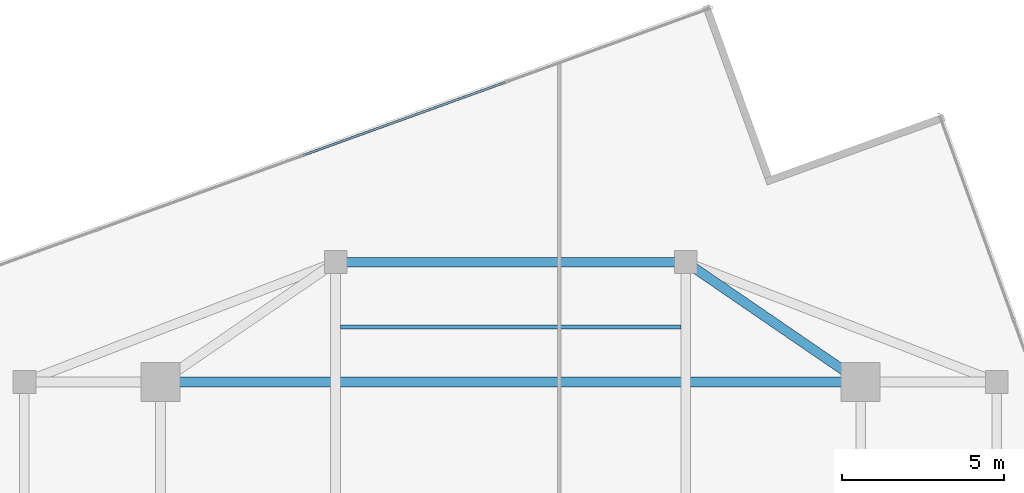
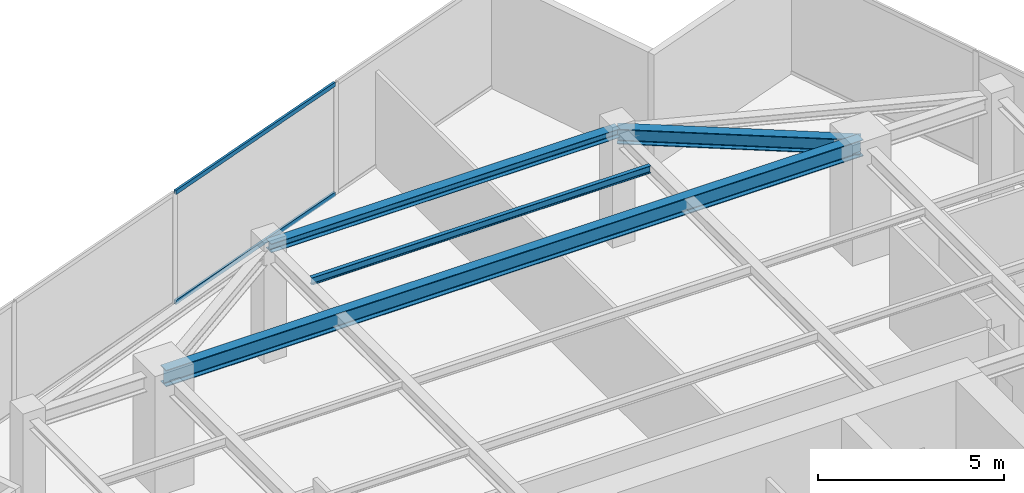
# One storey, part 14 of 21: 4 beams, 2 members, 1 element without a shape of its own.
"""IFC4 building model written with IfcOpenShell, lengths in metres."""

from ifc_helpers import new_model, si_unit, direction, frame, origin, origin_2d, place, context, subcontext, project, spatial, hollow_rectangle, i_section, extrude, source, transform, mapped, material, material_profile, profile_set, type_object, type_shapes, element, aggregate, save


model = new_model("IFC4")

# Units and contexts
model_context = context("Model", 3, precision=1e-05, world=origin(), true_north=direction((0.0, 1.0)))
body_context = subcontext(model_context, "Body", "Model", "MODEL_VIEW")
ifc_project = project(units=[si_unit("LENGTHUNIT", "METRE"), si_unit("AREAUNIT", "SQUARE_METRE"), si_unit("VOLUMEUNIT", "CUBIC_METRE"), si_unit("PLANEANGLEUNIT", "RADIAN"), si_unit("MASSUNIT", "GRAM", prefix="KILO")], contexts=[model_context])

# Site, building, storey
site_placement = place(None, origin())
site = spatial("IfcSite", under=ifc_project, at=site_placement, CompositionType="ELEMENT")
building_placement = place(site_placement, origin())
building = spatial("IfcBuilding", under=site, at=building_placement, Name="Krantzveldt Concourse Tower", CompositionType="ELEMENT")
storey_placement = place(building_placement, frame((0.0, 0.0, 335.60009765625)))
storey = spatial("IfcBuildingStorey", under=building, at=storey_placement, Name="L82", CompositionType="ELEMENT", Elevation=335.60009765625)

# Beams
ifc_material_1 = material(Name="Steel S355JR", Category="steel")
ifc_material_profile_1 = material_profile(ifc_material_1, i_section(OverallWidth=0.300048828125, OverallDepth=0.489990234375, WebThickness=0.011962890625, FlangeThickness=0.02294921875, FilletRadius=0.027099609375, at=origin_2d()), Name="Steel S355JR", Category="steel")
ifc_profile_set_1 = profile_set([ifc_material_profile_1], Name="Steel S355JR - HEA 500")
beam_type_1 = type_object("IfcBeamType", Name="BM-B-HEA500", PredefinedType="BEAM", material=ifc_profile_set_1)
shared_shape_1 = source(origin(), body_context, "Body", "SweptSolid", [
    extrude(i_section(OverallWidth=0.300048828125, OverallDepth=0.489990234375, WebThickness=0.011962890625, FlangeThickness=0.02294921875, FilletRadius=0.027099609375, at=origin_2d()), origin(), (0.0, 0.0, 1.0), 6.546142578125),
])
type_shapes(beam_type_1, [shared_shape_1])
beam_1_placement = place(storey_placement, frame((46.800048828125, 37.5, 3.4248046875), z_axis=(-0.824942999484, 0.565215930068, 0.0), x_axis=(-0.565215930068, -0.824942999484, 0.0)))
element("IfcBeam", 1, at=beam_1_placement, inside=storey, type_object=beam_type_1, Name="L82 Tower Girder BR-RR4", PredefinedType="BEAM", context=body_context, shape_type="MappedRepresentation", body=[
    mapped(shared_shape_1, transform((0.0, 0.0, 0.0), x_axis=(1.0, 0.0, 0.0), y_axis=(0.0, 1.0, 0.0), z_axis=(0.0, 0.0, 1.0), scale=1.0)),
])
ifc_material_profile_2 = material_profile(ifc_material_1, i_section(OverallWidth=0.300048828125, OverallDepth=0.5400390625, WebThickness=0.012451171875, FlangeThickness=0.02392578125, FilletRadius=0.027099609375, at=origin_2d()), Name="Steel S355JR", Category="steel")
ifc_profile_set_2 = profile_set([ifc_material_profile_2], Name="Steel S355JR - HEA 550")
beam_type_2 = type_object("IfcBeamType", Name="BM-B-HEA550", PredefinedType="BEAM", material=ifc_profile_set_2)
shared_shape_2 = source(origin(), body_context, "Body", "SweptSolid", [
    extrude(i_section(OverallWidth=0.300048828125, OverallDepth=0.5400390625, WebThickness=0.012451171875, FlangeThickness=0.02392578125, FilletRadius=0.027099609375, at=origin_2d()), origin(), (0.0, 0.0, 1.0), 21.60009765625),
])
type_shapes(beam_type_2, [shared_shape_2])
beam_2_placement = place(storey_placement, frame((25.199951171875, 37.5, 3.39990234375), z_axis=(1.0, 0.0, 0.0), x_axis=(0.0, 1.0, 0.0)))
element("IfcBeam", 2, at=beam_2_placement, inside=storey, type_object=beam_type_2, Name="L82 Tower Girder BG-MN", PredefinedType="BEAM", context=body_context, shape_type="MappedRepresentation", body=[
    mapped(shared_shape_2, transform((0.0, 0.0, 0.0), x_axis=(1.0, 0.0, 0.0), y_axis=(0.0, 1.0, 0.0), z_axis=(0.0, 0.0, 1.0), scale=1.0)),
])
ifc_material_profile_3 = material_profile(ifc_material_1, i_section(OverallWidth=0.2900390625, OverallDepth=0.2900390625, WebThickness=0.008544921875, FlangeThickness=0.013916015625, FilletRadius=0.027099609375, at=origin_2d()), Name="Steel S355JR", Category="steel")
ifc_profile_set_3 = profile_set([ifc_material_profile_3], Name="Steel S355JR - HEA 300")
beam_type_3 = type_object("IfcBeamType", Name="BM-SP-HEA300", PredefinedType="SPANDREL", material=ifc_profile_set_3)
shared_shape_3 = source(origin(), body_context, "Body", "SweptSolid", [
    extrude(i_section(OverallWidth=0.2900390625, OverallDepth=0.2900390625, WebThickness=0.008544921875, FlangeThickness=0.013916015625, FilletRadius=0.027099609375, at=origin_2d()), origin(), (0.0, 0.0, 1.0), 10.7998046875),
])
type_shapes(beam_type_3, [shared_shape_3])
beam_3_placement = place(storey_placement, frame((30.60009765625, 41.199951171875, 3.52490234375), z_axis=(1.0, 0.0, 0.0), x_axis=(0.0, 1.0, 0.0)))
element("IfcBeam", 3, at=beam_3_placement, inside=storey, type_object=beam_type_3, Name="L82 Tower Girder SP-R04", PredefinedType="SPANDREL", context=body_context, shape_type="MappedRepresentation", body=[
    mapped(shared_shape_3, transform((0.0, 0.0, 0.0), x_axis=(1.0, 0.0, 0.0), y_axis=(0.0, 1.0, 0.0), z_axis=(0.0, 0.0, 1.0), scale=1.0)),
])
ifc_material_profile_4 = material_profile(ifc_material_1, i_section(OverallWidth=0.1201171875, OverallDepth=0.239990234375, WebThickness=0.006103515625, FlangeThickness=0.009765625, FilletRadius=0.014892578125, at=origin_2d()), Name="Steel S355JR", Category="steel")
ifc_profile_set_4 = profile_set([ifc_material_profile_4], Name="Steel S355JR - IPE 240")
beam_type_4 = type_object("IfcBeamType", Name="BM-LN-IPE240", PredefinedType="LINTEL", material=ifc_profile_set_4)
shared_shape_4 = source(origin(), body_context, "Body", "SweptSolid", [
    extrude(i_section(OverallWidth=0.1201171875, OverallDepth=0.239990234375, WebThickness=0.006103515625, FlangeThickness=0.009765625, FilletRadius=0.014892578125, at=origin_2d()), origin(), (0.0, 0.0, 1.0), 10.5),
])
type_shapes(beam_type_4, [shared_shape_4])
beam_4_placement = place(storey_placement, frame((30.75, 39.199951171875, 3.5498046875), z_axis=(1.0, 0.0, 0.0), x_axis=(0.0, 1.0, 0.0)))
element("IfcBeam", 4, at=beam_4_placement, inside=storey, type_object=beam_type_4, Name="L82 Secondary Floor Joist JN-C3", PredefinedType="LINTEL", context=body_context, shape_type="MappedRepresentation", body=[
    mapped(shared_shape_4, transform((0.0, 0.0, 0.0), x_axis=(1.0, 0.0, 0.0), y_axis=(0.0, 1.0, 0.0), z_axis=(0.0, 0.0, 1.0), scale=1.0)),
])

# Curtain wall, members
ifc_material_2 = material(Name="Anodised aluminium 6063-T6", Category="aluminium")
curtain_wall_type = type_object("IfcCurtainWallType", Name="CW4", PredefinedType="USERDEFINED", material=ifc_material_2)
curtain_wall_placement = place(storey_placement, origin())
curtain_wall = element("IfcCurtainWall", 5, at=curtain_wall_placement, inside=storey, type_object=curtain_wall_type, Name="CW-L82-F01", ObjectType="UNITISED CURTAIN WALL", PredefinedType="USERDEFINED")
ifc_material_profile_5 = material_profile(ifc_material_2, hollow_rectangle(XDim=0.070068359375, YDim=0.139892578125, WallThickness=0.0048828125, at=origin_2d()), Name="Anodised aluminium 6063-T6", Category="aluminium")
ifc_profile_set_5 = profile_set([ifc_material_profile_5], Name="Anodised aluminium 6063-T6 - ALU-TRAN 140x70x5")
member_type = type_object("IfcMemberType", Name="CW-TRN-150", PredefinedType="USERDEFINED", material=ifc_profile_set_5)
shared_shape_5 = source(origin(), body_context, "Body", "SweptSolid", [
    extrude(hollow_rectangle(XDim=0.070068359375, YDim=0.139892578125, WallThickness=0.0048828125, at=origin_2d()), origin(), (0.0, 0.0, 1.0), 6.6298828125),
])
type_shapes(member_type, [shared_shape_5])
member_1_placement = place(storey_placement, frame((35.839111328125, 46.74951171875, 0.034912109375), z_axis=(-0.940441114499, -0.339956629823, 0.0), x_axis=(0.339956629823, -0.940441114499, 0.0)))
member_1 = element("IfcMember", 6, at=member_1_placement, type_object=member_type, Name="CW-Z56 transom 2.1", ObjectType="TRANSOM", PredefinedType="USERDEFINED", context=body_context, shape_type="MappedRepresentation", body=[
    mapped(shared_shape_5, transform((0.0, 0.0, 0.0), x_axis=(1.0, 0.0, 0.0), y_axis=(0.0, 1.0, 0.0), z_axis=(0.0, 0.0, 1.0), scale=1.0)),
])
member_2_placement = place(storey_placement, frame((35.839111328125, 46.74951171875, 3.635009765625), z_axis=(-0.940441114499, -0.339956629823, 0.0), x_axis=(0.339956629823, -0.940441114499, 0.0)))
member_2 = element("IfcMember", 7, at=member_2_placement, type_object=member_type, Name="CW-Z56 transom 2.2", ObjectType="TRANSOM", PredefinedType="USERDEFINED", context=body_context, shape_type="MappedRepresentation", body=[
    mapped(shared_shape_5, transform((0.0, 0.0, 0.0), x_axis=(1.0, 0.0, 0.0), y_axis=(0.0, 1.0, 0.0), z_axis=(0.0, 0.0, 1.0), scale=1.0)),
])
aggregate(curtain_wall, [member_1, member_2])

save(model, "model.ifc")
